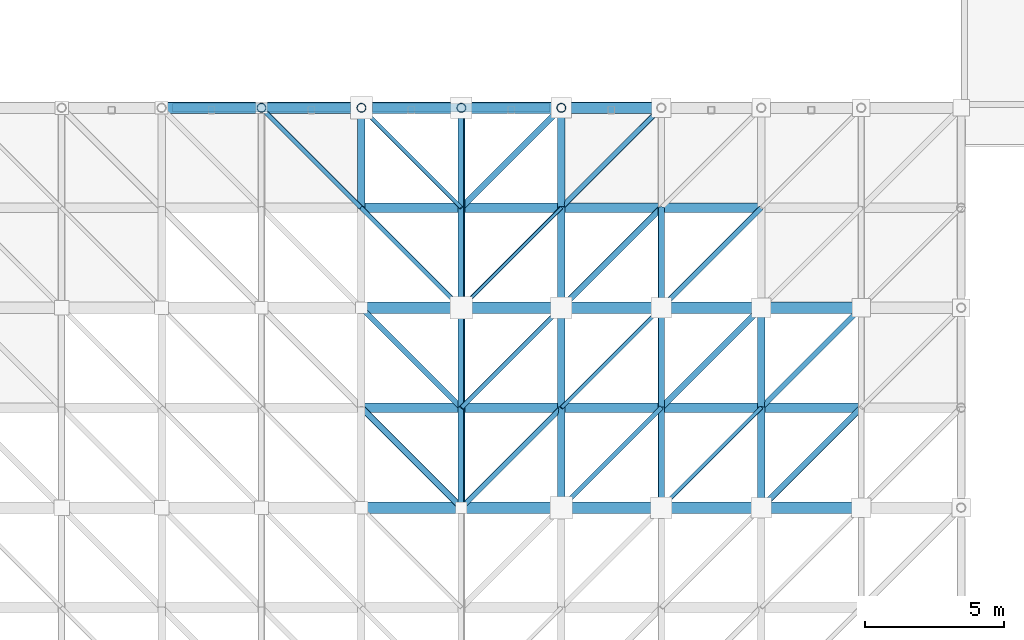
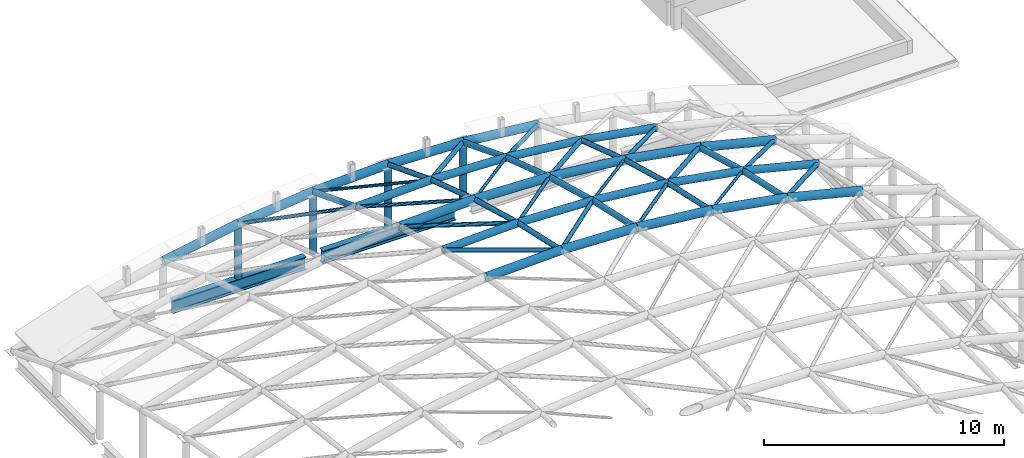
# One storey, part 10 of 40: 60 members, 2 beams.
"""IFC4 building model written with IfcOpenShell, lengths in metres."""

from ifc_helpers import new_model, si_unit, direction, frame, origin, origin_2d, place, context, subcontext, project, spatial, hollow_circle, i_section, extrude, material, material_profile, profile_set, type_object, element, save


model = new_model("IFC4")

# Units and contexts
model_context = context("Model", 3, precision=1e-05, world=origin(), true_north=direction((0.0, 1.0)))
body_context = subcontext(model_context, "Body", "Model", "MODEL_VIEW")
ifc_project = project(units=[si_unit("LENGTHUNIT", "METRE"), si_unit("AREAUNIT", "SQUARE_METRE"), si_unit("VOLUMEUNIT", "CUBIC_METRE"), si_unit("PLANEANGLEUNIT", "RADIAN"), si_unit("MASSUNIT", "GRAM", prefix="KILO")], contexts=[model_context])

# Site, building, storey
site_placement = place(None, origin())
site = spatial("IfcSite", under=ifc_project, at=site_placement, CompositionType="ELEMENT")
building_placement = place(site_placement, origin())
building = spatial("IfcBuilding", under=site, at=building_placement, Name="Kavelor Marine Aquarium", CompositionType="ELEMENT")
storey_placement = place(building_placement, frame((0.0, 0.0, 17.639892578125)))
storey = spatial("IfcBuildingStorey", under=building, at=storey_placement, Name="L04", CompositionType="ELEMENT", Elevation=17.639892578125)

# Beams
ifc_material_1 = material(Name="Steel S355", Category="steel")
ifc_material_profile_1 = material_profile(ifc_material_1, i_section(OverallWidth=0.300048828125, OverallDepth=0.64990234375, WebThickness=0.01611328125, FlangeThickness=0.031005859375, FilletRadius=0.027099609375, at=origin_2d()), Name="HEB 650")
ifc_profile_set_1 = profile_set([ifc_material_profile_1], Name="Steel S355")
beam_type = type_object("IfcBeamType", Name="BM-SB1", PredefinedType="BEAM", material=ifc_profile_set_1)
for number, where, z_axis, x_axis, name in (
    (1, (10.800048828125, 82.0, -0.324951171875), (1.0, 0.0, 0.0), (0.0, 1.0, 0.0), "bm:x:L04:L04:01_11"),
    (2, (18.0, 82.0, -0.324951171875), (1.0, 0.0, 0.0), (0.0, 1.0, 0.0), "bm:x:L04:L04:02_11"),
):
    element("IfcBeam", number, at=place(storey_placement, frame(where, z_axis=z_axis, x_axis=x_axis)), inside=storey, type_object=beam_type, Name=name, PredefinedType="BEAM", context=body_context, shape_type="SweptSolid", body=[
        extrude(i_section(OverallWidth=0.300048828125, OverallDepth=0.64990234375, WebThickness=0.01611328125, FlangeThickness=0.031005859375, FilletRadius=0.027099609375, at=origin_2d()), origin(), (0.0, 0.0, 1.0), 6.39990234375),
    ])

# Members
ifc_material_2 = material(Name="Steel S355", Category="steel")
ifc_material_profile_2 = material_profile(ifc_material_2, hollow_circle(Radius=0.109619140625, WallThickness=0.0087890625, at=origin_2d()), Name="CHS 219.1x8.8")
ifc_profile_set_2 = profile_set([ifc_material_profile_2], Name="Steel S355")
member_type_1 = type_object("IfcMemberType", Name="GS-BR1", PredefinedType="BRACE", material=ifc_profile_set_2)
member_1_placement = place(storey_placement, frame((21.199951171875, 67.60009765625, 7.5966796875), z_axis=(-0.695691559217, 0.695691559217, -0.178959517403), x_axis=(-0.707106781187, -0.707106781187, 0.0)))
element("IfcMember", 3, at=member_1_placement, inside=storey, type_object=member_type_1, Name="gs:diag:04_12", PredefinedType="BRACE", context=body_context, shape_type="SweptSolid", body=[
    extrude(hollow_circle(Radius=0.109619140625, WallThickness=0.0087890625, at=origin_2d()), origin(), (0.0, 0.0, 1.0), 5.174560546875),
])
member_2_placement = place(storey_placement, frame((21.199951171875, 78.39990234375, 4.613525390625), z_axis=(0.677430110021, 0.677430110021, -0.286665121832), x_axis=(-0.707106781187, 0.707106781187, 0.0)))
element("IfcMember", 4, at=member_2_placement, inside=storey, type_object=member_type_1, Name="gs:diag:05_15", PredefinedType="BRACE", context=body_context, shape_type="SweptSolid", body=[
    extrude(hollow_circle(Radius=0.109619140625, WallThickness=0.0087890625, at=origin_2d()), origin(), (0.0, 0.0, 1.0), 5.314453125),
])
member_3_placement = place(storey_placement, frame((24.800048828125, 74.800048828125, 5.678955078125), z_axis=(0.675848550471, 0.675848550471, -0.29403651755), x_axis=(-0.707106781187, 0.707106781187, 0.0)))
element("IfcMember", 5, at=member_3_placement, inside=storey, type_object=member_type_1, Name="gs:diag:06_14", PredefinedType="BRACE", context=body_context, shape_type="SweptSolid", body=[
    extrude(hollow_circle(Radius=0.109619140625, WallThickness=0.0087890625, at=origin_2d()), origin(), (0.0, 0.0, 1.0), 5.326416015625),
])
member_4_placement = place(storey_placement, frame((28.39990234375, 71.199951171875, 6.29443359375), z_axis=(0.673636744667, 0.673636744667, -0.304018210753), x_axis=(-0.707106781187, 0.707106781187, 0.0)))
element("IfcMember", 6, at=member_4_placement, inside=storey, type_object=member_type_1, Name="gs:diag:07_13", PredefinedType="BRACE", context=body_context, shape_type="SweptSolid", body=[
    extrude(hollow_circle(Radius=0.109619140625, WallThickness=0.0087890625, at=origin_2d()), origin(), (0.0, 0.0, 1.0), 5.34423828125),
])
member_5_placement = place(storey_placement, frame((32.0, 67.60009765625, 6.462890625), z_axis=(0.670679855825, 0.67063437367, -0.316919655187), x_axis=(-0.707082803744, 0.707130757816, 0.0)))
element("IfcMember", 7, at=member_5_placement, inside=storey, type_object=member_type_1, Name="gs:diag:08_12", PredefinedType="BRACE", context=body_context, shape_type="SweptSolid", body=[
    extrude(hollow_circle(Radius=0.109619140625, WallThickness=0.0087890625, at=origin_2d()), origin(), (0.0, 0.0, 1.0), 5.367919921875),
])
ifc_material_3 = material(Name="Steel S355", Category="steel")
ifc_material_profile_3 = material_profile(ifc_material_3, hollow_circle(Radius=0.096923828125, WallThickness=0.008056640625, at=origin_2d()), Name="CHS 193.7x8.0")
ifc_profile_set_3 = profile_set([ifc_material_profile_3], Name="Steel S355")
member_type_2 = type_object("IfcMemberType", Name="GS-BR2", PredefinedType="BRACE", material=ifc_profile_set_3)
member_6_placement = place(storey_placement, frame((21.199951171875, 71.199951171875, 6.79541015625), z_axis=(-0.690670677322, 0.690717518331, -0.214203934038), x_axis=(-0.707130757816, -0.707082803744, 0.0)))
element("IfcMember", 8, at=member_6_placement, inside=storey, type_object=member_type_2, Name="gs:diag:04_13", PredefinedType="BRACE", context=body_context, shape_type="SweptSolid", body=[
    extrude(hollow_circle(Radius=0.096923828125, WallThickness=0.008056640625, at=origin_2d()), origin(), (0.0, 0.0, 1.0), 5.212158203125),
])
member_7_placement = place(storey_placement, frame((21.199951171875, 67.60009765625, 7.5966796875), z_axis=(0.695715904309, 0.695668724335, -0.178953643364), x_axis=(-0.707082803744, 0.707130757816, 0.0)))
element("IfcMember", 9, at=member_7_placement, inside=storey, type_object=member_type_2, Name="gs:diag:05_12", PredefinedType="BRACE", context=body_context, shape_type="SweptSolid", body=[
    extrude(hollow_circle(Radius=0.096923828125, WallThickness=0.008056640625, at=origin_2d()), origin(), (0.0, 0.0, 1.0), 5.174560546875),
])
member_8_placement = place(storey_placement, frame((24.800048828125, 78.39990234375, 4.48876953125), z_axis=(0.667681484899, 0.66772676679, -0.329154066716), x_axis=(-0.707130757816, 0.707082803744, 0.0)))
element("IfcMember", 10, at=member_8_placement, inside=storey, type_object=member_type_2, Name="gs:diag:06_15", PredefinedType="BRACE", context=body_context, shape_type="SweptSolid", body=[
    extrude(hollow_circle(Radius=0.096923828125, WallThickness=0.008056640625, at=origin_2d()), origin(), (0.0, 0.0, 1.0), 5.3916015625),
])
member_9_placement = place(storey_placement, frame((28.39990234375, 74.800048828125, 5.302734375), z_axis=(0.665738295368, 0.665693148325, -0.337112969721), x_axis=(-0.707082803744, 0.707130757816, 0.0)))
element("IfcMember", 11, at=member_9_placement, inside=storey, type_object=member_type_2, Name="gs:diag:07_14", PredefinedType="BRACE", context=body_context, shape_type="SweptSolid", body=[
    extrude(hollow_circle(Radius=0.096923828125, WallThickness=0.008056640625, at=origin_2d()), origin(), (0.0, 0.0, 1.0), 5.40771484375),
])
member_10_placement = place(storey_placement, frame((32.0, 71.199951171875, 5.661376953125), z_axis=(0.662846993587, 0.662846993587, -0.348235159319), x_axis=(-0.707106781187, 0.707106781187, 0.0)))
element("IfcMember", 12, at=member_10_placement, inside=storey, type_object=member_type_2, Name="gs:diag:08_13", PredefinedType="BRACE", context=body_context, shape_type="SweptSolid", body=[
    extrude(hollow_circle(Radius=0.096923828125, WallThickness=0.008056640625, at=origin_2d()), origin(), (0.0, 0.0, 1.0), 5.43115234375),
])
ifc_material_4 = material(Name="Steel S355", Category="steel")
ifc_material_profile_4 = material_profile(ifc_material_4, hollow_circle(Radius=0.084228515625, WallThickness=0.007080078125, at=origin_2d()), Name="CHS 168.3x7.1")
ifc_profile_set_4 = profile_set([ifc_material_profile_4], Name="Steel S355")
member_type_3 = type_object("IfcMemberType", Name="GS-BR3", PredefinedType="BRACE", material=ifc_profile_set_4)
member_11_placement = place(storey_placement, frame((17.60009765625, 78.39990234375, 4.48876953125), z_axis=(-0.66770657905, 0.66770657905, -0.329144115225), x_axis=(-0.707106781187, -0.707106781187, 0.0)))
element("IfcMember", 13, at=member_11_placement, inside=storey, type_object=member_type_3, Name="gs:diag:03_15", PredefinedType="BRACE", context=body_context, shape_type="SweptSolid", body=[
    extrude(hollow_circle(Radius=0.084228515625, WallThickness=0.007080078125, at=origin_2d()), origin(), (0.0, 0.0, 1.0), 5.391845703125),
])
member_12_placement = place(storey_placement, frame((21.199951171875, 74.800048828125, 5.8037109375), z_axis=(-0.684638195543, 0.684638195543, -0.250082151319), x_axis=(-0.707106781187, -0.707106781187, 0.0)))
element("IfcMember", 14, at=member_12_placement, inside=storey, type_object=member_type_3, Name="gs:diag:04_14", PredefinedType="BRACE", context=body_context, shape_type="SweptSolid", body=[
    extrude(hollow_circle(Radius=0.084228515625, WallThickness=0.007080078125, at=origin_2d()), origin(), (0.0, 0.0, 1.0), 5.258056640625),
])
member_13_placement = place(storey_placement, frame((21.199951171875, 71.199951171875, 6.79541015625), z_axis=(0.690695172764, 0.690695172764, -0.214197004276), x_axis=(-0.707106781187, 0.707106781187, 0.0)))
element("IfcMember", 15, at=member_13_placement, inside=storey, type_object=member_type_3, Name="gs:diag:05_13", PredefinedType="BRACE", context=body_context, shape_type="SweptSolid", body=[
    extrude(hollow_circle(Radius=0.084228515625, WallThickness=0.007080078125, at=origin_2d()), origin(), (0.0, 0.0, 1.0), 5.21240234375),
])
member_14_placement = place(storey_placement, frame((24.800048828125, 67.60009765625, 7.471923828125), z_axis=(0.688919880432, 0.688919880432, -0.225341511246), x_axis=(-0.707106781187, 0.707106781187, 0.0)))
element("IfcMember", 16, at=member_14_placement, inside=storey, type_object=member_type_3, Name="gs:diag:06_12", PredefinedType="BRACE", context=body_context, shape_type="SweptSolid", body=[
    extrude(hollow_circle(Radius=0.084228515625, WallThickness=0.007080078125, at=origin_2d()), origin(), (0.0, 0.0, 1.0), 5.225341796875),
])
ifc_material_5 = material(Name="Steel S355", Category="steel")
ifc_material_profile_5 = material_profile(ifc_material_5, hollow_circle(Radius=0.06982421875, WallThickness=0.00634765625, at=origin_2d()), Name="CHS 139.7x6.3")
ifc_profile_set_5 = profile_set([ifc_material_profile_5], Name="Steel S355")
member_type_4 = type_object("IfcMemberType", Name="GS-BR4", PredefinedType="BRACE", material=ifc_profile_set_5)
member_15_placement = place(storey_placement, frame((21.199951171875, 78.39990234375, 4.613525390625), z_axis=(-0.677405251299, 0.677451192652, -0.286674043276), x_axis=(-0.707130757816, -0.707082803744, 0.0)))
element("IfcMember", 17, at=member_15_placement, inside=storey, type_object=member_type_4, Name="gs:diag:04_15", PredefinedType="BRACE", context=body_context, shape_type="SweptSolid", body=[
    extrude(hollow_circle(Radius=0.06982421875, WallThickness=0.00634765625, at=origin_2d()), origin(), (0.0, 0.0, 1.0), 5.314208984375),
])
member_16_placement = place(storey_placement, frame((21.199951171875, 74.800048828125, 5.8037109375), z_axis=(0.684662862261, 0.684616431849, -0.250074201556), x_axis=(-0.707082803744, 0.707130757816, 0.0)))
element("IfcMember", 18, at=member_16_placement, inside=storey, type_object=member_type_4, Name="gs:diag:05_14", PredefinedType="BRACE", context=body_context, shape_type="SweptSolid", body=[
    extrude(hollow_circle(Radius=0.06982421875, WallThickness=0.00634765625, at=origin_2d()), origin(), (0.0, 0.0, 1.0), 5.25830078125),
])
member_17_placement = place(storey_placement, frame((24.800048828125, 71.199951171875, 6.670654296875), z_axis=(0.682863480713, 0.682909792241, -0.259483491518), x_axis=(-0.707130757816, 0.707082803744, 0.0)))
element("IfcMember", 19, at=member_17_placement, inside=storey, type_object=member_type_4, Name="gs:diag:06_13", PredefinedType="BRACE", context=body_context, shape_type="SweptSolid", body=[
    extrude(hollow_circle(Radius=0.06982421875, WallThickness=0.00634765625, at=origin_2d()), origin(), (0.0, 0.0, 1.0), 5.271728515625),
])
member_18_placement = place(storey_placement, frame((28.39990234375, 67.60009765625, 7.095703125), z_axis=(0.680634839712, 0.68058868246, -0.271173856185), x_axis=(-0.707082803744, 0.707130757816, 0.0)))
element("IfcMember", 20, at=member_18_placement, inside=storey, type_object=member_type_4, Name="gs:diag:07_12", PredefinedType="BRACE", context=body_context, shape_type="SweptSolid", body=[
    extrude(hollow_circle(Radius=0.06982421875, WallThickness=0.00634765625, at=origin_2d()), origin(), (0.0, 0.0, 1.0), 5.289306640625),
])
ifc_material_6 = material(Name="Steel S355", Category="steel")
ifc_material_profile_6 = material_profile(ifc_material_6, hollow_circle(Radius=0.203125, WallThickness=0.01611328125, at=origin_2d()), Name="CHS 406.4x16.0")
ifc_profile_set_6 = profile_set([ifc_material_profile_6], Name="Steel S355")
member_type_5 = type_object("IfcMemberType", Name="GS-CH1", PredefinedType="CHORD", material=ifc_profile_set_6)
member_19_placement = place(storey_placement, frame((17.60009765625, 67.60009765625, 7.471923828125), z_axis=(0.999400027608, 0.0, 0.034635022998), x_axis=(0.0, 1.0, 0.0)))
element("IfcMember", 21, at=member_19_placement, inside=storey, type_object=member_type_5, Name="gs:arch:04_12", PredefinedType="CHORD", context=body_context, shape_type="SweptSolid", body=[
    extrude(hollow_circle(Radius=0.203125, WallThickness=0.01611328125, at=origin_2d()), origin(), (0.0, 0.0, 1.0), 3.60205078125),
])
member_20_placement = place(storey_placement, frame((21.199951171875, 67.60009765625, 7.5966796875), z_axis=(0.999400108906, 0.0, -0.034632677041), x_axis=(0.0, 1.0, 0.0)))
element("IfcMember", 22, at=member_20_placement, inside=storey, type_object=member_type_5, Name="gs:arch:05_12", PredefinedType="CHORD", context=body_context, shape_type="SweptSolid", body=[
    extrude(hollow_circle(Radius=0.203125, WallThickness=0.01611328125, at=origin_2d()), origin(), (0.0, 0.0, 1.0), 3.602294921875),
])
member_21_placement = place(storey_placement, frame((24.800048828125, 67.60009765625, 7.471923828125), z_axis=(0.994583162832, 0.0, -0.10394388972), x_axis=(0.0, 1.0, 0.0)))
element("IfcMember", 23, at=member_21_placement, inside=storey, type_object=member_type_5, Name="gs:arch:06_12", PredefinedType="CHORD", context=body_context, shape_type="SweptSolid", body=[
    extrude(hollow_circle(Radius=0.203125, WallThickness=0.01611328125, at=origin_2d()), origin(), (0.0, 0.0, 1.0), 3.619384765625),
])
member_22_placement = place(storey_placement, frame((28.39990234375, 67.60009765625, 7.095703125), z_axis=(0.984900331996, 0.0, -0.17312231524), x_axis=(0.0, 1.0, 0.0)))
element("IfcMember", 24, at=member_22_placement, inside=storey, type_object=member_type_5, Name="gs:arch:07_12", PredefinedType="CHORD", context=body_context, shape_type="SweptSolid", body=[
    extrude(hollow_circle(Radius=0.203125, WallThickness=0.01611328125, at=origin_2d()), origin(), (0.0, 0.0, 1.0), 3.6552734375),
])
member_23_placement = place(storey_placement, frame((32.0, 67.60009765625, 6.462890625), z_axis=(0.970150239738, 0.0, -0.242504664565), x_axis=(0.0, 1.0, 0.0)))
element("IfcMember", 25, at=member_23_placement, inside=storey, type_object=member_type_5, Name="gs:arch:08_12", PredefinedType="CHORD", context=body_context, shape_type="SweptSolid", body=[
    extrude(hollow_circle(Radius=0.203125, WallThickness=0.01611328125, at=origin_2d()), origin(), (0.0, 0.0, 1.0), 3.7109375),
])
member_24_placement = place(storey_placement, frame((17.60009765625, 74.800048828125, 5.678955078125), z_axis=(0.999400027608, 0.0, 0.034635022998), x_axis=(0.0, 1.0, 0.0)))
element("IfcMember", 26, at=member_24_placement, inside=storey, type_object=member_type_5, Name="gs:arch:04_14", PredefinedType="CHORD", context=body_context, shape_type="SweptSolid", body=[
    extrude(hollow_circle(Radius=0.203125, WallThickness=0.01611328125, at=origin_2d()), origin(), (0.0, 0.0, 1.0), 3.60205078125),
])
member_25_placement = place(storey_placement, frame((21.199951171875, 74.800048828125, 5.8037109375), z_axis=(0.999400108906, 0.0, -0.034632677041), x_axis=(0.0, 1.0, 0.0)))
element("IfcMember", 27, at=member_25_placement, inside=storey, type_object=member_type_5, Name="gs:arch:05_14", PredefinedType="CHORD", context=body_context, shape_type="SweptSolid", body=[
    extrude(hollow_circle(Radius=0.203125, WallThickness=0.01611328125, at=origin_2d()), origin(), (0.0, 0.0, 1.0), 3.602294921875),
])
member_26_placement = place(storey_placement, frame((24.800048828125, 74.800048828125, 5.678955078125), z_axis=(0.994583162832, 0.0, -0.10394388972), x_axis=(0.0, 1.0, 0.0)))
element("IfcMember", 28, at=member_26_placement, inside=storey, type_object=member_type_5, Name="gs:arch:06_14", PredefinedType="CHORD", context=body_context, shape_type="SweptSolid", body=[
    extrude(hollow_circle(Radius=0.203125, WallThickness=0.01611328125, at=origin_2d()), origin(), (0.0, 0.0, 1.0), 3.619384765625),
])
member_27_placement = place(storey_placement, frame((28.39990234375, 74.800048828125, 5.302734375), z_axis=(0.984888941579, 0.0, -0.173187103317), x_axis=(0.0, 1.0, 0.0)))
element("IfcMember", 29, at=member_27_placement, inside=storey, type_object=member_type_5, Name="gs:arch:07_14", PredefinedType="CHORD", context=body_context, shape_type="SweptSolid", body=[
    extrude(hollow_circle(Radius=0.203125, WallThickness=0.01611328125, at=origin_2d()), origin(), (0.0, 0.0, 1.0), 3.6552734375),
])
member_28_placement = place(storey_placement, frame((32.0, 74.800048828125, 4.669677734375), z_axis=(0.97016571633, 0.0, -0.2424427414), x_axis=(0.0, 1.0, 0.0)))
element("IfcMember", 30, at=member_28_placement, inside=storey, type_object=member_type_5, Name="gs:arch:08_14", PredefinedType="CHORD", context=body_context, shape_type="SweptSolid", body=[
    extrude(hollow_circle(Radius=0.203125, WallThickness=0.01611328125, at=origin_2d()), origin(), (0.0, 0.0, 1.0), 3.710693359375),
])
member_29_placement = place(storey_placement, frame((10.39990234375, 82.0, 2.0810546875), z_axis=(0.984888941579, 0.0, 0.173187103317), x_axis=(0.0, 1.0, 0.0)))
element("IfcMember", 31, at=member_29_placement, inside=storey, type_object=member_type_5, Name="gs:arch:02_16", PredefinedType="CHORD", context=body_context, shape_type="SweptSolid", body=[
    extrude(hollow_circle(Radius=0.203125, WallThickness=0.01611328125, at=origin_2d()), origin(), (0.0, 0.0, 1.0), 3.6552734375),
])
member_30_placement = place(storey_placement, frame((14.0, 82.0, 2.714111328125), z_axis=(0.994590861685, 0.0, 0.103870197138), x_axis=(0.0, 1.0, 0.0)))
element("IfcMember", 32, at=member_30_placement, inside=storey, type_object=member_type_5, Name="gs:arch:03_16", PredefinedType="CHORD", context=body_context, shape_type="SweptSolid", body=[
    extrude(hollow_circle(Radius=0.203125, WallThickness=0.01611328125, at=origin_2d()), origin(), (0.0, 0.0, 1.0), 3.61962890625),
])
member_31_placement = place(storey_placement, frame((17.60009765625, 82.0, 3.090087890625), z_axis=(0.999400027608, 0.0, 0.034635022998), x_axis=(0.0, 1.0, 0.0)))
element("IfcMember", 33, at=member_31_placement, inside=storey, type_object=member_type_5, Name="gs:arch:04_16", PredefinedType="CHORD", context=body_context, shape_type="SweptSolid", body=[
    extrude(hollow_circle(Radius=0.203125, WallThickness=0.01611328125, at=origin_2d()), origin(), (0.0, 0.0, 1.0), 3.60205078125),
])
member_32_placement = place(storey_placement, frame((21.199951171875, 82.0, 3.21484375), z_axis=(0.999400108906, 0.0, -0.034632677041), x_axis=(0.0, 1.0, 0.0)))
element("IfcMember", 34, at=member_32_placement, inside=storey, type_object=member_type_5, Name="gs:arch:05_16", PredefinedType="CHORD", context=body_context, shape_type="SweptSolid", body=[
    extrude(hollow_circle(Radius=0.203125, WallThickness=0.01611328125, at=origin_2d()), origin(), (0.0, 0.0, 1.0), 3.602294921875),
])
member_33_placement = place(storey_placement, frame((24.800048828125, 82.0, 3.090087890625), z_axis=(0.994590133912, 0.0, -0.103877165563), x_axis=(0.0, 1.0, 0.0)))
element("IfcMember", 35, at=member_33_placement, inside=storey, type_object=member_type_5, Name="gs:arch:06_16", PredefinedType="CHORD", context=body_context, shape_type="SweptSolid", body=[
    extrude(hollow_circle(Radius=0.203125, WallThickness=0.01611328125, at=origin_2d()), origin(), (0.0, 0.0, 1.0), 3.619384765625),
])
ifc_material_7 = material(Name="Steel S355", Category="steel")
ifc_material_profile_7 = material_profile(ifc_material_7, hollow_circle(Radius=0.177734375, WallThickness=0.01416015625, at=origin_2d()), Name="CHS 355.6x14.2")
ifc_profile_set_7 = profile_set([ifc_material_profile_7], Name="Steel S355")
member_type_6 = type_object("IfcMemberType", Name="GS-CH2", PredefinedType="CHORD", material=ifc_profile_set_7)
member_34_placement = place(storey_placement, frame((17.60009765625, 71.199951171875, 6.670654296875), z_axis=(0.999400027608, 0.0, 0.034635022998), x_axis=(0.0, 1.0, 0.0)))
element("IfcMember", 36, at=member_34_placement, inside=storey, type_object=member_type_6, Name="gs:arch:04_13", PredefinedType="CHORD", context=body_context, shape_type="SweptSolid", body=[
    extrude(hollow_circle(Radius=0.177734375, WallThickness=0.01416015625, at=origin_2d()), origin(), (0.0, 0.0, 1.0), 3.60205078125),
])
member_35_placement = place(storey_placement, frame((21.199951171875, 71.199951171875, 6.79541015625), z_axis=(0.999400108906, 0.0, -0.034632677041), x_axis=(0.0, 1.0, 0.0)))
element("IfcMember", 37, at=member_35_placement, inside=storey, type_object=member_type_6, Name="gs:arch:05_13", PredefinedType="CHORD", context=body_context, shape_type="SweptSolid", body=[
    extrude(hollow_circle(Radius=0.177734375, WallThickness=0.01416015625, at=origin_2d()), origin(), (0.0, 0.0, 1.0), 3.602294921875),
])
member_36_placement = place(storey_placement, frame((24.800048828125, 71.199951171875, 6.670654296875), z_axis=(0.994583162832, 0.0, -0.10394388972), x_axis=(0.0, 1.0, 0.0)))
element("IfcMember", 38, at=member_36_placement, inside=storey, type_object=member_type_6, Name="gs:arch:06_13", PredefinedType="CHORD", context=body_context, shape_type="SweptSolid", body=[
    extrude(hollow_circle(Radius=0.177734375, WallThickness=0.01416015625, at=origin_2d()), origin(), (0.0, 0.0, 1.0), 3.619384765625),
])
member_37_placement = place(storey_placement, frame((28.39990234375, 71.199951171875, 6.29443359375), z_axis=(0.984888941579, 0.0, -0.173187103317), x_axis=(0.0, 1.0, 0.0)))
element("IfcMember", 39, at=member_37_placement, inside=storey, type_object=member_type_6, Name="gs:arch:07_13", PredefinedType="CHORD", context=body_context, shape_type="SweptSolid", body=[
    extrude(hollow_circle(Radius=0.177734375, WallThickness=0.01416015625, at=origin_2d()), origin(), (0.0, 0.0, 1.0), 3.6552734375),
])
member_38_placement = place(storey_placement, frame((32.0, 71.199951171875, 5.661376953125), z_axis=(0.97016571633, 0.0, -0.2424427414), x_axis=(0.0, 1.0, 0.0)))
element("IfcMember", 40, at=member_38_placement, inside=storey, type_object=member_type_6, Name="gs:arch:08_13", PredefinedType="CHORD", context=body_context, shape_type="SweptSolid", body=[
    extrude(hollow_circle(Radius=0.177734375, WallThickness=0.01416015625, at=origin_2d()), origin(), (0.0, 0.0, 1.0), 3.710693359375),
])
member_39_placement = place(storey_placement, frame((17.60009765625, 78.39990234375, 4.48876953125), z_axis=(0.999400027608, 0.0, 0.034635022998), x_axis=(0.0, 1.0, 0.0)))
element("IfcMember", 41, at=member_39_placement, inside=storey, type_object=member_type_6, Name="gs:arch:04_15", PredefinedType="CHORD", context=body_context, shape_type="SweptSolid", body=[
    extrude(hollow_circle(Radius=0.177734375, WallThickness=0.01416015625, at=origin_2d()), origin(), (0.0, 0.0, 1.0), 3.60205078125),
])
member_40_placement = place(storey_placement, frame((21.199951171875, 78.39990234375, 4.613525390625), z_axis=(0.999400108906, 0.0, -0.034632677041), x_axis=(0.0, 1.0, 0.0)))
element("IfcMember", 42, at=member_40_placement, inside=storey, type_object=member_type_6, Name="gs:arch:05_15", PredefinedType="CHORD", context=body_context, shape_type="SweptSolid", body=[
    extrude(hollow_circle(Radius=0.177734375, WallThickness=0.01416015625, at=origin_2d()), origin(), (0.0, 0.0, 1.0), 3.602294921875),
])
member_41_placement = place(storey_placement, frame((24.800048828125, 78.39990234375, 4.48876953125), z_axis=(0.994590133912, 0.0, -0.103877165563), x_axis=(0.0, 1.0, 0.0)))
element("IfcMember", 43, at=member_41_placement, inside=storey, type_object=member_type_6, Name="gs:arch:06_15", PredefinedType="CHORD", context=body_context, shape_type="SweptSolid", body=[
    extrude(hollow_circle(Radius=0.177734375, WallThickness=0.01416015625, at=origin_2d()), origin(), (0.0, 0.0, 1.0), 3.619384765625),
])
member_42_placement = place(storey_placement, frame((28.39990234375, 78.39990234375, 4.11279296875), z_axis=(0.984888941579, 0.0, -0.173187103317), x_axis=(0.0, 1.0, 0.0)))
element("IfcMember", 44, at=member_42_placement, inside=storey, type_object=member_type_6, Name="gs:arch:07_15", PredefinedType="CHORD", context=body_context, shape_type="SweptSolid", body=[
    extrude(hollow_circle(Radius=0.177734375, WallThickness=0.01416015625, at=origin_2d()), origin(), (0.0, 0.0, 1.0), 3.6552734375),
])
ifc_material_8 = material(Name="Steel S355", Category="steel")
ifc_material_profile_8 = material_profile(ifc_material_8, hollow_circle(Radius=0.161865234375, WallThickness=0.012451171875, at=origin_2d()), Name="CHS 323.9x12.5")
ifc_profile_set_8 = profile_set([ifc_material_profile_8], Name="Steel S355")
member_type_7 = type_object("IfcMemberType", Name="GS-CH3", PredefinedType="CHORD", material=ifc_profile_set_8)
member_43_placement = place(storey_placement, frame((14.0, 82.0, 0.0), z_axis=(0.0, 0.0, 1.0), x_axis=(1.0, 0.0, 0.0)))
element("IfcMember", 45, at=member_43_placement, inside=storey, type_object=member_type_7, Name="gs:post:y:03_16", PredefinedType="CHORD", context=body_context, shape_type="SweptSolid", body=[
    extrude(hollow_circle(Radius=0.161865234375, WallThickness=0.012451171875, at=origin_2d()), origin(), (0.0, 0.0, 1.0), 2.714111328125),
])
member_44_placement = place(storey_placement, frame((17.60009765625, 82.0, 0.0), z_axis=(0.0, 0.0, 1.0), x_axis=(1.0, 0.0, 0.0)))
element("IfcMember", 46, at=member_44_placement, inside=storey, type_object=member_type_7, Name="gs:post:y:04_16", PredefinedType="CHORD", context=body_context, shape_type="SweptSolid", body=[
    extrude(hollow_circle(Radius=0.161865234375, WallThickness=0.012451171875, at=origin_2d()), origin(), (0.0, 0.0, 1.0), 3.090087890625),
])
member_45_placement = place(storey_placement, frame((21.199951171875, 82.0, 0.0), z_axis=(0.0, 0.0, 1.0), x_axis=(1.0, 0.0, 0.0)))
element("IfcMember", 47, at=member_45_placement, inside=storey, type_object=member_type_7, Name="gs:post:y:05_16", PredefinedType="CHORD", context=body_context, shape_type="SweptSolid", body=[
    extrude(hollow_circle(Radius=0.161865234375, WallThickness=0.012451171875, at=origin_2d()), origin(), (0.0, 0.0, 1.0), 3.21484375),
])
member_46_placement = place(storey_placement, frame((24.800048828125, 82.0, 0.0), z_axis=(0.0, 0.0, 1.0), x_axis=(1.0, 0.0, 0.0)))
element("IfcMember", 48, at=member_46_placement, inside=storey, type_object=member_type_7, Name="gs:post:y:06_16", PredefinedType="CHORD", context=body_context, shape_type="SweptSolid", body=[
    extrude(hollow_circle(Radius=0.161865234375, WallThickness=0.012451171875, at=origin_2d()), origin(), (0.0, 0.0, 1.0), 3.090087890625),
])
ifc_material_9 = material(Name="Steel S355", Category="steel")
ifc_material_profile_9 = material_profile(ifc_material_9, hollow_circle(Radius=0.136474609375, WallThickness=0.010009765625, at=origin_2d()), Name="CHS 273.0x10.0")
ifc_profile_set_9 = profile_set([ifc_material_profile_9], Name="Steel S355")
member_type_8 = type_object("IfcMemberType", Name="GS-CH4", PredefinedType="CHORD", material=ifc_profile_set_9)
member_47_placement = place(storey_placement, frame((17.60009765625, 78.39990234375, 4.48876953125), z_axis=(0.0, 0.932123249924, -0.362141197533), x_axis=(-1.0, 0.0, 0.0)))
element("IfcMember", 49, at=member_47_placement, inside=storey, type_object=member_type_8, Name="gs:long:04_15", PredefinedType="CHORD", context=body_context, shape_type="SweptSolid", body=[
    extrude(hollow_circle(Radius=0.136474609375, WallThickness=0.010009765625, at=origin_2d()), origin(), (0.0, 0.0, 1.0), 3.8623046875),
])
member_48_placement = place(storey_placement, frame((24.800048828125, 67.60009765625, 7.471923828125), z_axis=(0.0, 0.976112235663, -0.217266894367), x_axis=(-1.0, 0.0, 0.0)))
element("IfcMember", 50, at=member_48_placement, inside=storey, type_object=member_type_8, Name="gs:long:06_12", PredefinedType="CHORD", context=body_context, shape_type="SweptSolid", body=[
    extrude(hollow_circle(Radius=0.136474609375, WallThickness=0.010009765625, at=origin_2d()), origin(), (0.0, 0.0, 1.0), 3.68798828125),
])
member_49_placement = place(storey_placement, frame((24.800048828125, 71.199951171875, 6.670654296875), z_axis=(0.0, 0.964090802748, -0.265572822512), x_axis=(-1.0, 0.0, 0.0)))
element("IfcMember", 51, at=member_49_placement, inside=storey, type_object=member_type_8, Name="gs:long:06_13", PredefinedType="CHORD", context=body_context, shape_type="SweptSolid", body=[
    extrude(hollow_circle(Radius=0.136474609375, WallThickness=0.010009765625, at=origin_2d()), origin(), (0.0, 0.0, 1.0), 3.734130859375),
])
member_50_placement = place(storey_placement, frame((24.800048828125, 74.800048828125, 5.678955078125), z_axis=(0.0, 0.949453164333, -0.313908726763), x_axis=(-1.0, 0.0, 0.0)))
element("IfcMember", 52, at=member_50_placement, inside=storey, type_object=member_type_8, Name="gs:long:06_14", PredefinedType="CHORD", context=body_context, shape_type="SweptSolid", body=[
    extrude(hollow_circle(Radius=0.136474609375, WallThickness=0.010009765625, at=origin_2d()), origin(), (0.0, 0.0, 1.0), 3.79150390625),
])
member_51_placement = place(storey_placement, frame((24.800048828125, 78.39990234375, 4.48876953125), z_axis=(0.0, 0.932123249924, -0.362141197533), x_axis=(-1.0, 0.0, 0.0)))
element("IfcMember", 53, at=member_51_placement, inside=storey, type_object=member_type_8, Name="gs:long:06_15", PredefinedType="CHORD", context=body_context, shape_type="SweptSolid", body=[
    extrude(hollow_circle(Radius=0.136474609375, WallThickness=0.010009765625, at=origin_2d()), origin(), (0.0, 0.0, 1.0), 3.8623046875),
])
member_52_placement = place(storey_placement, frame((32.0, 67.60009765625, 6.462890625), z_axis=(0.0, 0.976098194436, -0.217329967605), x_axis=(-1.0, 0.0, 0.0)))
element("IfcMember", 54, at=member_52_placement, inside=storey, type_object=member_type_8, Name="gs:long:08_12", PredefinedType="CHORD", context=body_context, shape_type="SweptSolid", body=[
    extrude(hollow_circle(Radius=0.136474609375, WallThickness=0.010009765625, at=origin_2d()), origin(), (0.0, 0.0, 1.0), 3.68798828125),
])
member_53_placement = place(storey_placement, frame((32.0, 71.199951171875, 5.661376953125), z_axis=(0.0, 0.964090802748, -0.265572822512), x_axis=(-1.0, 0.0, 0.0)))
element("IfcMember", 55, at=member_53_placement, inside=storey, type_object=member_type_8, Name="gs:long:08_13", PredefinedType="CHORD", context=body_context, shape_type="SweptSolid", body=[
    extrude(hollow_circle(Radius=0.136474609375, WallThickness=0.010009765625, at=origin_2d()), origin(), (0.0, 0.0, 1.0), 3.734130859375),
])
ifc_material_10 = material(Name="Steel S355", Category="steel")
ifc_material_profile_10 = material_profile(ifc_material_10, hollow_circle(Radius=0.122314453125, WallThickness=0.010009765625, at=origin_2d()), Name="CHS 244.5x10.0")
ifc_profile_set_10 = profile_set([ifc_material_profile_10], Name="Steel S355")
member_type_9 = type_object("IfcMemberType", Name="GS-CH5", PredefinedType="CHORD", material=ifc_profile_set_10)
member_54_placement = place(storey_placement, frame((21.199951171875, 67.60009765625, 7.5966796875), z_axis=(0.0, 0.976112235663, -0.217266894367), x_axis=(-1.0, 0.0, 0.0)))
element("IfcMember", 56, at=member_54_placement, inside=storey, type_object=member_type_9, Name="gs:long:05_12", PredefinedType="CHORD", context=body_context, shape_type="SweptSolid", body=[
    extrude(hollow_circle(Radius=0.122314453125, WallThickness=0.010009765625, at=origin_2d()), origin(), (0.0, 0.0, 1.0), 3.68798828125),
])
member_55_placement = place(storey_placement, frame((21.199951171875, 71.199951171875, 6.79541015625), z_axis=(0.0, 0.964090802748, -0.265572822512), x_axis=(-1.0, 0.0, 0.0)))
element("IfcMember", 57, at=member_55_placement, inside=storey, type_object=member_type_9, Name="gs:long:05_13", PredefinedType="CHORD", context=body_context, shape_type="SweptSolid", body=[
    extrude(hollow_circle(Radius=0.122314453125, WallThickness=0.010009765625, at=origin_2d()), origin(), (0.0, 0.0, 1.0), 3.734130859375),
])
member_56_placement = place(storey_placement, frame((21.199951171875, 74.800048828125, 5.8037109375), z_axis=(0.0, 0.949453164333, -0.313908726763), x_axis=(-1.0, 0.0, 0.0)))
element("IfcMember", 58, at=member_56_placement, inside=storey, type_object=member_type_9, Name="gs:long:05_14", PredefinedType="CHORD", context=body_context, shape_type="SweptSolid", body=[
    extrude(hollow_circle(Radius=0.122314453125, WallThickness=0.010009765625, at=origin_2d()), origin(), (0.0, 0.0, 1.0), 3.79150390625),
])
member_57_placement = place(storey_placement, frame((21.199951171875, 78.39990234375, 4.613525390625), z_axis=(0.0, 0.932123249924, -0.362141197533), x_axis=(-1.0, 0.0, 0.0)))
element("IfcMember", 59, at=member_57_placement, inside=storey, type_object=member_type_9, Name="gs:long:05_15", PredefinedType="CHORD", context=body_context, shape_type="SweptSolid", body=[
    extrude(hollow_circle(Radius=0.122314453125, WallThickness=0.010009765625, at=origin_2d()), origin(), (0.0, 0.0, 1.0), 3.8623046875),
])
member_58_placement = place(storey_placement, frame((28.39990234375, 67.60009765625, 7.095703125), z_axis=(0.0, 0.976112235663, -0.217266894367), x_axis=(-1.0, 0.0, 0.0)))
element("IfcMember", 60, at=member_58_placement, inside=storey, type_object=member_type_9, Name="gs:long:07_12", PredefinedType="CHORD", context=body_context, shape_type="SweptSolid", body=[
    extrude(hollow_circle(Radius=0.122314453125, WallThickness=0.010009765625, at=origin_2d()), origin(), (0.0, 0.0, 1.0), 3.68798828125),
])
member_59_placement = place(storey_placement, frame((28.39990234375, 71.199951171875, 6.29443359375), z_axis=(0.0, 0.964090802748, -0.265572822512), x_axis=(-1.0, 0.0, 0.0)))
element("IfcMember", 61, at=member_59_placement, inside=storey, type_object=member_type_9, Name="gs:long:07_13", PredefinedType="CHORD", context=body_context, shape_type="SweptSolid", body=[
    extrude(hollow_circle(Radius=0.122314453125, WallThickness=0.010009765625, at=origin_2d()), origin(), (0.0, 0.0, 1.0), 3.734130859375),
])
member_60_placement = place(storey_placement, frame((28.39990234375, 74.800048828125, 5.302734375), z_axis=(0.0, 0.949472354304, -0.313850678527), x_axis=(-1.0, 0.0, 0.0)))
element("IfcMember", 62, at=member_60_placement, inside=storey, type_object=member_type_9, Name="gs:long:07_14", PredefinedType="CHORD", context=body_context, shape_type="SweptSolid", body=[
    extrude(hollow_circle(Radius=0.122314453125, WallThickness=0.010009765625, at=origin_2d()), origin(), (0.0, 0.0, 1.0), 3.79150390625),
])

save(model, "model.ifc")
